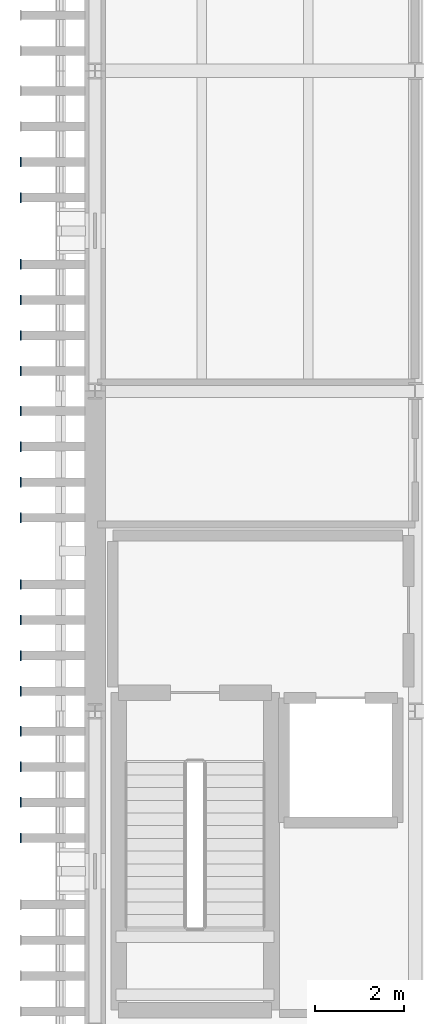
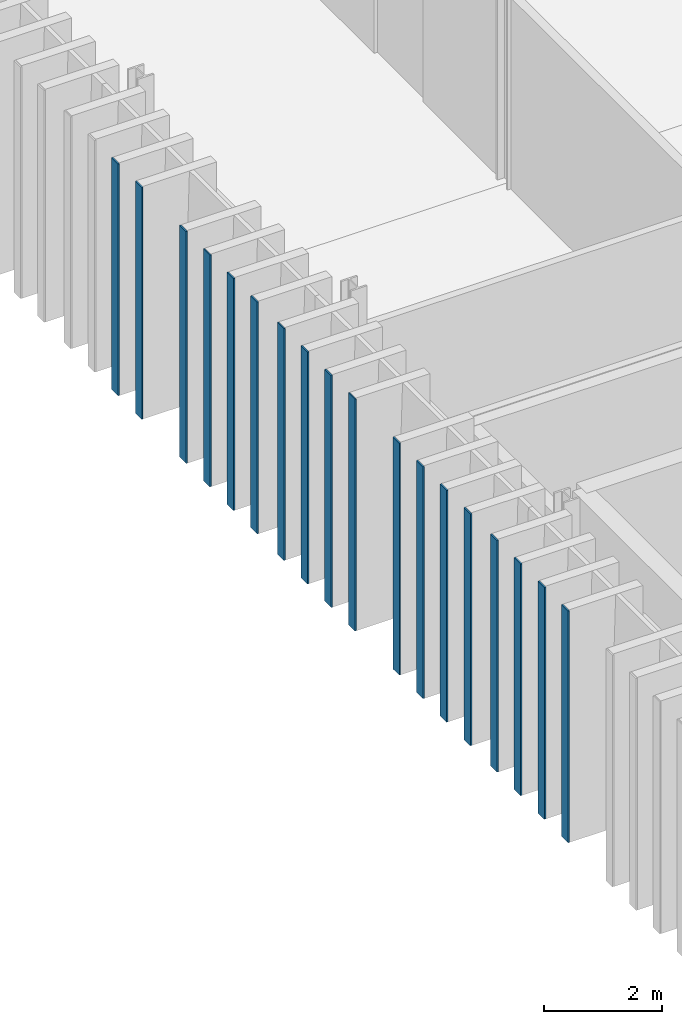
# One storey, part 55 of 121: 18 plates.
"""IFC4 building model written with IfcOpenShell, lengths in metres."""

from ifc_helpers import new_model, si_unit, direction, frame, origin, origin_2d, place, context, subcontext, project, spatial, rectangle, extrude, material, layer, layer_set, type_object, element, save


model = new_model("IFC4")

# Units and contexts
model_context = context("Model", 3, precision=1e-05, world=origin(), true_north=direction((0.0, 1.0)))
body_context = subcontext(model_context, "Body", "Model", "MODEL_VIEW")
ifc_project = project(units=[si_unit("LENGTHUNIT", "METRE"), si_unit("AREAUNIT", "SQUARE_METRE"), si_unit("VOLUMEUNIT", "CUBIC_METRE"), si_unit("PLANEANGLEUNIT", "RADIAN"), si_unit("MASSUNIT", "GRAM", prefix="KILO")], contexts=[model_context])

# Site, building, storey
site_placement = place(None, origin())
site = spatial("IfcSite", under=ifc_project, at=site_placement, CompositionType="ELEMENT")
building_placement = place(site_placement, origin())
building = spatial("IfcBuilding", under=site, at=building_placement, Name="Narikvali Park Central Library", CompositionType="ELEMENT")
storey_placement = place(building_placement, frame((0.0, 0.0, 5.39990234375)))
storey = spatial("IfcBuildingStorey", under=building, at=storey_placement, Name="L01", CompositionType="ELEMENT", Elevation=5.39990234375)

# Plates
ifc_material = material(Name="Anodised Bronze Aluminium", Category="aluminium")
ifc_layer = layer(ifc_material, 0.028076171875, Name="Anodised Bronze Aluminium")
ifc_layer_set = layer_set([ifc_layer], Name="Anodised Bronze Aluminium")
plate_type = type_object("IfcPlateType", Name="Vertical Brick Fin Bronze Bullnose Cap 28", PredefinedType="SHEET", material=ifc_layer_set)
for number, where, z_axis, x_axis, name in (
    (1, (-1.672119140625, 47.550048828125, 0.01025390625), (0.0, 0.0, 1.0), (1.0, 0.0, 0.0), "West Stacks Fin Bullnose Trim 098"),
    (2, (-1.672119140625, 48.35009765625, 0.01025390625), (0.0, 0.0, 1.0), (1.0, 0.0, 0.0), "West Stacks Fin Bullnose Trim 104"),
    (3, (-1.672119140625, 49.14990234375, 0.01025390625), (0.0, 0.0, 1.0), (1.0, 0.0, 0.0), "West Stacks Fin Bullnose Trim 110"),
    (4, (-1.672119140625, 49.949951171875, 0.01025390625), (0.0, 0.0, 1.0), (1.0, 0.0, 0.0), "West Stacks Fin Bullnose Trim 116"),
    (5, (-1.672119140625, 50.85009765625, 0.01025390625), (0.0, 0.0, 1.0), (1.0, 0.0, 0.0), "West Stacks Fin Bullnose Trim 122"),
    (6, (-1.672119140625, 51.64990234375, 0.01025390625), (0.0, 0.0, 1.0), (1.0, 0.0, 0.0), "West Stacks Fin Bullnose Trim 128"),
    (7, (-1.672119140625, 52.449951171875, 0.01025390625), (0.0, 0.0, 1.0), (1.0, 0.0, 0.0), "West Stacks Fin Bullnose Trim 134"),
    (8, (-1.672119140625, 53.25, 0.01025390625), (0.0, 0.0, 1.0), (1.0, 0.0, 0.0), "West Stacks Fin Bullnose Trim 140"),
    (9, (-1.672119140625, 54.75, 0.01025390625), (0.0, 0.0, 1.0), (1.0, 0.0, 0.0), "West Stacks Fin Bullnose Trim 146"),
    (10, (-1.672119140625, 55.550048828125, 0.01025390625), (0.0, 0.0, 1.0), (1.0, 0.0, 0.0), "West Stacks Fin Bullnose Trim 152"),
    (11, (-1.672119140625, 56.35009765625, 0.01025390625), (0.0, 0.0, 1.0), (1.0, 0.0, 0.0), "West Stacks Fin Bullnose Trim 158"),
    (12, (-1.672119140625, 57.14990234375, 0.01025390625), (0.0, 0.0, 1.0), (1.0, 0.0, 0.0), "West Stacks Fin Bullnose Trim 164"),
    (13, (-1.672119140625, 58.050048828125, 0.01025390625), (0.0, 0.0, 1.0), (1.0, 0.0, 0.0), "West Stacks Fin Bullnose Trim 170"),
    (14, (-1.672119140625, 58.85009765625, 0.01025390625), (0.0, 0.0, 1.0), (1.0, 0.0, 0.0), "West Stacks Fin Bullnose Trim 176"),
    (15, (-1.672119140625, 59.64990234375, 0.01025390625), (0.0, 0.0, 1.0), (1.0, 0.0, 0.0), "West Stacks Fin Bullnose Trim 182"),
    (16, (-1.672119140625, 60.449951171875, 0.01025390625), (0.0, 0.0, 1.0), (1.0, 0.0, 0.0), "West Stacks Fin Bullnose Trim 188"),
    (17, (-1.672119140625, 61.949951171875, 0.01025390625), (0.0, 0.0, 1.0), (1.0, 0.0, 0.0), "West Stacks Fin Bullnose Trim 194"),
    (18, (-1.672119140625, 62.75, 0.01025390625), (0.0, 0.0, 1.0), (1.0, 0.0, 0.0), "West Stacks Fin Bullnose Trim 200"),
):
    element("IfcPlate", number, at=place(storey_placement, frame(where, z_axis=z_axis, x_axis=x_axis)), inside=storey, type_object=plate_type, Name=name, PredefinedType="SHEET", context=body_context, shape_type="SweptSolid", body=[
        extrude(rectangle(XDim=0.028076171875, YDim=0.219970703125, at=origin_2d()), origin(), (0.0, 0.0, 1.0), 4.780029296875),
    ])

save(model, "model.ifc")
